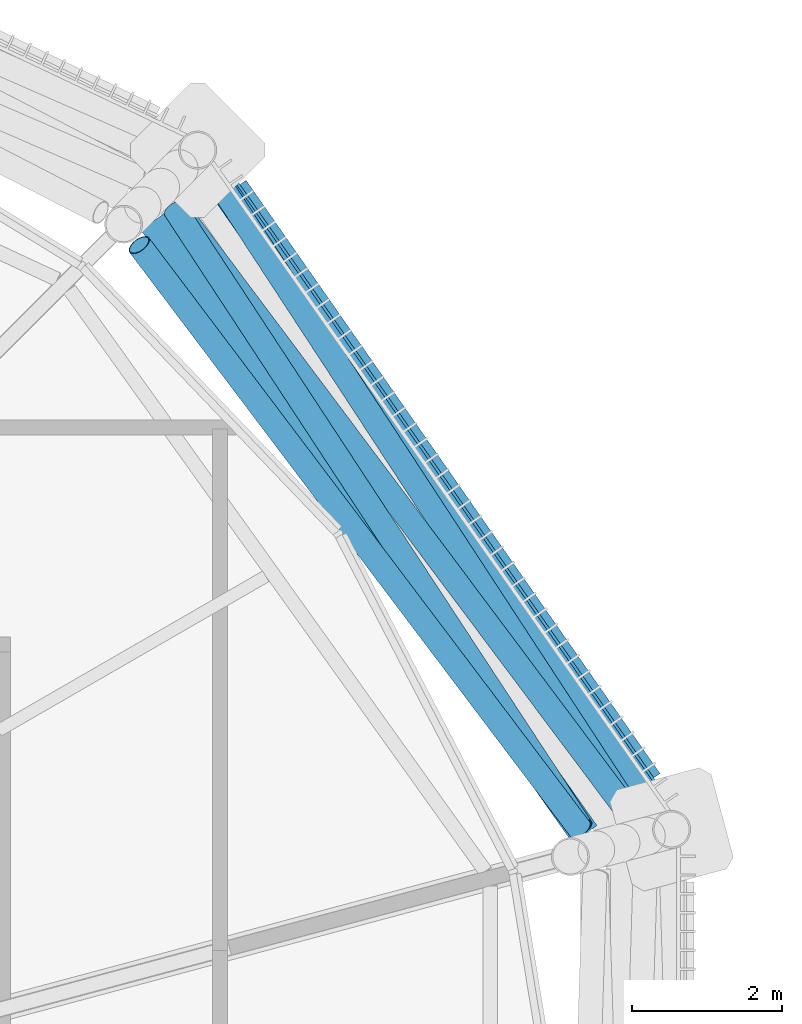
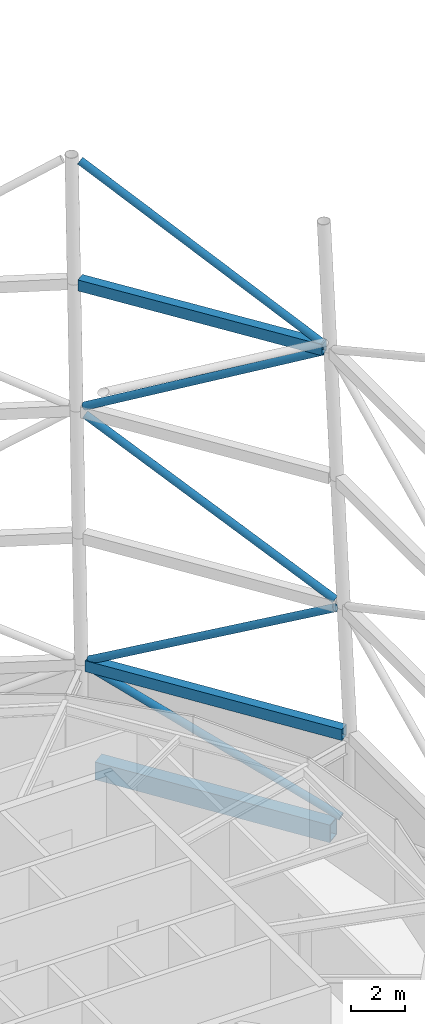
# One storey, part 25 of 71: 5 members, 3 beams.
"""IFC4 building model written with IfcOpenShell, lengths in metres."""

from ifc_helpers import new_model, si_unit, direction, frame, origin, origin_2d, place, context, subcontext, project, spatial, hollow_rectangle, hollow_circle, extrude, material, material_profile, profile_set, type_object, element, save


model = new_model("IFC4")

# Units and contexts
model_context = context("Model", 3, precision=1e-05, world=origin(), true_north=direction((0.0, 1.0)))
body_context = subcontext(model_context, "Body", "Model", "MODEL_VIEW")
ifc_project = project(units=[si_unit("LENGTHUNIT", "METRE"), si_unit("AREAUNIT", "SQUARE_METRE"), si_unit("VOLUMEUNIT", "CUBIC_METRE"), si_unit("PLANEANGLEUNIT", "RADIAN"), si_unit("MASSUNIT", "GRAM", prefix="KILO")], contexts=[model_context])

# Site, building, storey
site_placement = place(None, origin())
site = spatial("IfcSite", under=ifc_project, at=site_placement, CompositionType="ELEMENT")
building_placement = place(site_placement, origin())
building = spatial("IfcBuilding", under=site, at=building_placement, Name="Rimbun Link Towers", CompositionType="ELEMENT")
storey_placement = place(building_placement, frame((0.0, 0.0, 267.60009765625)))
storey = spatial("IfcBuildingStorey", under=building, at=storey_placement, Name="L65", CompositionType="ELEMENT", Elevation=267.60009765625)

# Members
ifc_material_1 = material(Name="Steel S355J2H", Category="steel")
ifc_material_profile_1 = material_profile(ifc_material_1, hollow_circle(Radius=0.161865234375, WallThickness=0.011962890625, at=origin_2d()), Name="Crown frame brace CHS 324x12")
ifc_profile_set_1 = profile_set([ifc_material_profile_1], Name="Steel S355J2H")
member_type = type_object("IfcMemberType", Name="Crown frame brace CHS 324x12", PredefinedType="BRACE", material=ifc_profile_set_1)
member_1_placement = place(storey_placement, frame((-10.938232421875, 5.942626953125, 0.135986328125), z_axis=(-0.53806035531, 0.771194589931, 0.340220455741), x_axis=(-0.820118162204, -0.572194197824, 0.0)))
element("IfcMember", 1, at=member_1_placement, inside=storey, type_object=member_type, Name="CROWN FRAME brace T1 1-00", PredefinedType="BRACE", context=body_context, shape_type="SweptSolid", body=[
    extrude(hollow_circle(Radius=0.161865234375, WallThickness=0.011962890625, at=origin_2d()), origin(), (0.0, 0.0, 1.0), 10.95703125),
])
member_2_placement = place(storey_placement, frame((-16.85693359375, 14.40771484375, 4.192138671875), z_axis=(0.479846739084, -0.733859883922, 0.480829260507), x_axis=(0.836961633721, 0.54726156788, 0.0)))
element("IfcMember", 2, at=member_2_placement, inside=storey, type_object=member_type, Name="CROWN FRAME brace T1 2-00", PredefinedType="BRACE", context=body_context, shape_type="SweptSolid", body=[
    extrude(hollow_circle(Radius=0.161865234375, WallThickness=0.011962890625, at=origin_2d()), origin(), (0.0, 0.0, 1.0), 11.6787109375),
])
member_3_placement = place(storey_placement, frame((-11.270751953125, 5.82373046875, 10.19384765625), z_axis=(-0.523984198832, 0.700171670423, 0.484974423359), x_axis=(-0.800627769753, -0.599162060131, 0.0)))
element("IfcMember", 3, at=member_3_placement, inside=storey, type_object=member_type, Name="CROWN FRAME brace T1 3-00", PredefinedType="BRACE", context=body_context, shape_type="SweptSolid", body=[
    extrude(hollow_circle(Radius=0.161865234375, WallThickness=0.011962890625, at=origin_2d()), origin(), (0.0, 0.0, 1.0), 11.57177734375),
])
member_4_placement = place(storey_placement, frame((-17.352783203125, 13.915283203125, 16.197265625), z_axis=(0.477412721378, -0.727131009684, 0.493312870522), x_axis=(0.835925022865, 0.548843653646, 0.0)))
element("IfcMember", 4, at=member_4_placement, inside=storey, type_object=member_type, Name="CROWN FRAME brace T1 4-00", PredefinedType="BRACE", context=body_context, shape_type="SweptSolid", body=[
    extrude(hollow_circle(Radius=0.161865234375, WallThickness=0.011962890625, at=origin_2d()), origin(), (0.0, 0.0, 1.0), 11.3623046875),
])
member_5_placement = place(storey_placement, frame((-11.9462890625, 5.639404296875, 22.198974609375), z_axis=(-0.522580076833, 0.692349752816, 0.497555909495), x_axis=(-0.798160346134, -0.602445069578, 0.0)))
element("IfcMember", 5, at=member_5_placement, inside=storey, type_object=member_type, Name="CROWN FRAME brace T1 5-00", PredefinedType="BRACE", context=body_context, shape_type="SweptSolid", body=[
    extrude(hollow_circle(Radius=0.161865234375, WallThickness=0.011962890625, at=origin_2d()), origin(), (0.0, 0.0, 1.0), 11.258544921875),
])

# Beams
ifc_material_2 = material(Name="Steel S355J2", Category="steel")
ifc_material_profile_2 = material_profile(ifc_material_2, hollow_rectangle(XDim=0.39990234375, YDim=0.5, WallThickness=0.02001953125, at=origin_2d()), Name="Crown frame ring beam BOX 400x500x20")
ifc_profile_set_2 = profile_set([ifc_material_profile_2], Name="Steel S355J2")
beam_type_1 = type_object("IfcBeamType", Name="Crown frame ring beam BOX 400x500x20", PredefinedType="BEAM", material=ifc_profile_set_2)
beam_1_placement = place(storey_placement, frame((-10.868408203125, 5.842529296875, 4.0), z_axis=(-0.572181596024, 0.820126954301, 0.0), x_axis=(-0.820126954301, -0.572181596024, 0.0)))
element("IfcBeam", 6, at=beam_1_placement, inside=storey, type_object=beam_type_1, Name="CROWN FRAME ring beam T1 1-00", PredefinedType="BEAM", context=body_context, shape_type="SweptSolid", body=[
    extrude(hollow_rectangle(XDim=0.39990234375, YDim=0.5, WallThickness=0.02001953125, at=origin_2d()), origin(), (0.0, 0.0, 1.0), 10.547607421875),
])
beam_2_placement = place(storey_placement, frame((-11.883544921875, 5.570068359375, 22.0), z_axis=(-0.575796767289, 0.817592858811, 0.0), x_axis=(-0.817592858811, -0.575796767289, 0.0)))
element("IfcBeam", 7, at=beam_2_placement, inside=storey, type_object=beam_type_1, Name="CROWN FRAME ring beam T1 4-00", PredefinedType="BEAM", context=body_context, shape_type="SweptSolid", body=[
    extrude(hollow_rectangle(XDim=0.39990234375, YDim=0.5, WallThickness=0.02001953125, at=origin_2d()), origin(), (0.0, 0.0, 1.0), 10.006103515625),
])
ifc_material_3 = material(Name="Steel S355J2", Category="steel")
ifc_material_profile_3 = material_profile(ifc_material_3, hollow_rectangle(XDim=0.60009765625, YDim=0.800048828125, WallThickness=0.0400390625, at=origin_2d()), Name="Exoskeleton ring girder BOX 600x800x40")
ifc_profile_set_3 = profile_set([ifc_material_profile_3], Name="Steel S355J2")
beam_type_2 = type_object("IfcBeamType", Name="Exoskeleton ring girder BOX 600x800x40", PredefinedType="BEAM", material=ifc_profile_set_3)
beam_3_placement = place(storey_placement, frame((-11.12353515625, 6.208251953125, -0.56005859375), z_axis=(-0.57219741623, 0.820115916722, 0.0), x_axis=(-0.820115916722, -0.57219741623, 0.0)))
element("IfcBeam", 8, at=beam_3_placement, inside=storey, type_object=beam_type_2, Name="Exoskeleton ring girder L65 00", PredefinedType="BEAM", context=body_context, shape_type="SweptSolid", body=[
    extrude(hollow_rectangle(XDim=0.60009765625, YDim=0.800048828125, WallThickness=0.0400390625, at=origin_2d()), origin(), (0.0, 0.0, 1.0), 9.655517578125),
])

save(model, "model.ifc")
